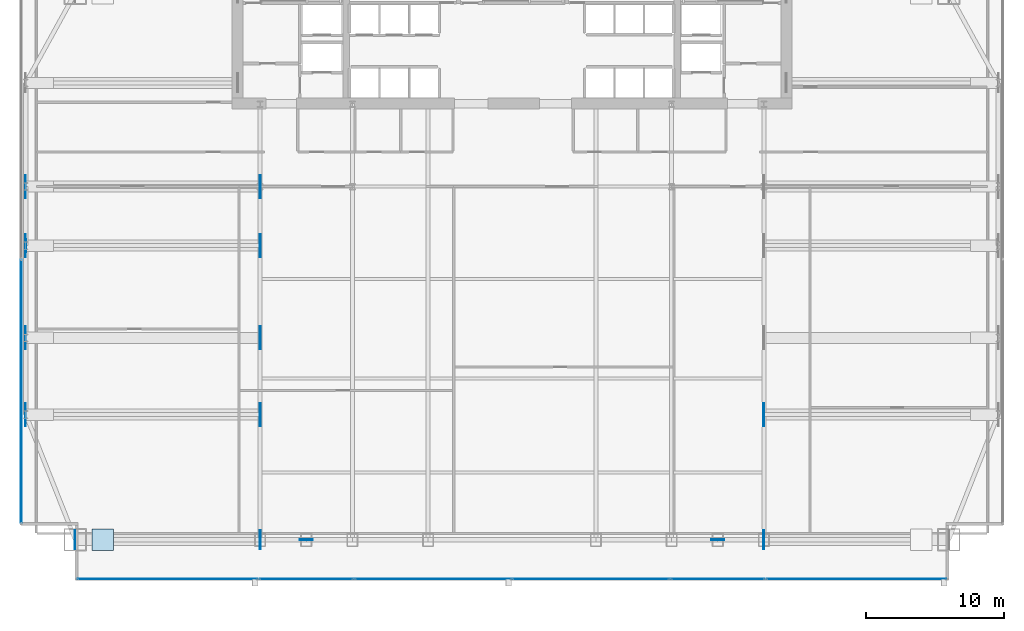
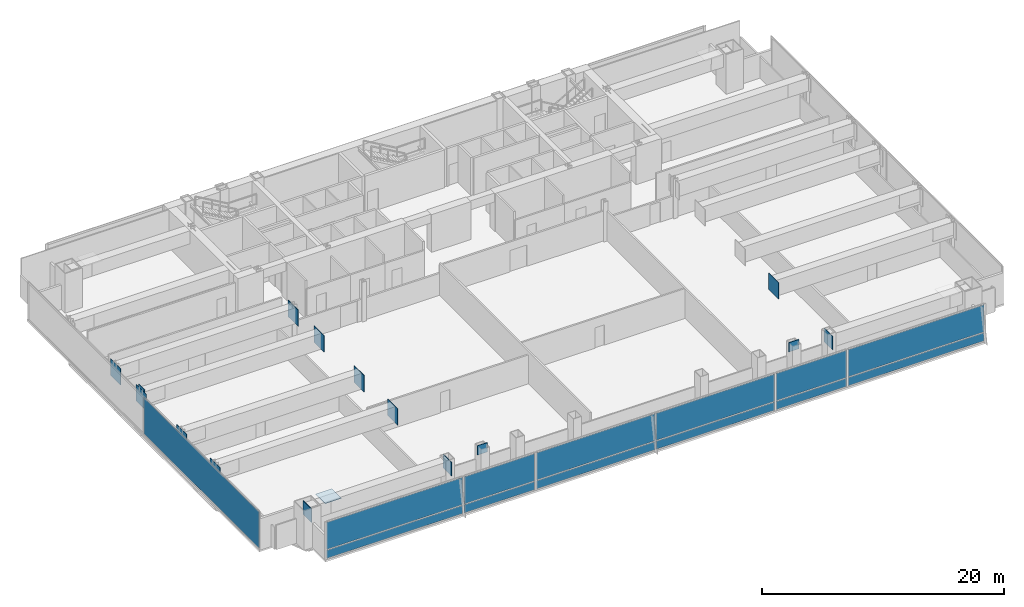
# One storey, part 23 of 32: 29 plates, 6 elements without a shape of their own.
"""IFC4 building model written with IfcOpenShell, lengths in metres."""

from ifc_helpers import new_model, si_unit, direction, frame, origin, origin_2d, place, context, subcontext, project, spatial, polyline, rectangle, outline, extrude, material, layer, layer_set, type_object, element, aggregate, save


model = new_model("IFC4")

# Units and contexts
model_context = context("Model", 3, precision=1e-05, world=origin(), true_north=direction((0.0, 1.0)))
body_context = subcontext(model_context, "Body", "Model", "MODEL_VIEW")
ifc_project = project(units=[si_unit("LENGTHUNIT", "METRE"), si_unit("AREAUNIT", "SQUARE_METRE"), si_unit("VOLUMEUNIT", "CUBIC_METRE"), si_unit("PLANEANGLEUNIT", "RADIAN"), si_unit("MASSUNIT", "GRAM", prefix="KILO")], contexts=[model_context])

# Site, building, storey
site_placement = place(None, origin())
site = spatial("IfcSite", under=ifc_project, at=site_placement, CompositionType="ELEMENT")
building_placement = place(site_placement, origin())
building = spatial("IfcBuilding", under=site, at=building_placement, Name="Khoronbel Lancet Exchange", CompositionType="ELEMENT")
storey_placement = place(building_placement, frame((0.0, 0.0, 77.800048828125)))
storey = spatial("IfcBuildingStorey", under=building, at=storey_placement, Name="L18", CompositionType="ELEMENT", Elevation=77.800048828125)

# Curtain wall, plate
ifc_material_1 = material(Name="Low-E Solar Control Insulating Glass", Category="glass")
curtain_wall_type_1 = type_object("IfcCurtainWallType", Name="CW-4", PredefinedType="NOTDEFINED", material=ifc_material_1)
curtain_wall_1_placement = place(storey_placement, origin())
curtain_wall_1 = element("IfcCurtainWall", 1, at=curtain_wall_1_placement, inside=storey, type_object=curtain_wall_type_1, Name="Unitised curtain wall CW-L18-E03", PredefinedType="NOTDEFINED")
ifc_material_2 = material(Name="Bronze-Anodised Aluminium 6063-T6", Category="aluminium")
ifc_layer_1 = layer(ifc_material_2, 0.050048828125, Name="Bronze-Anodised Aluminium 6063-T6")
ifc_layer_set_1 = layer_set([ifc_layer_1], Name="Bronze-Anodised Aluminium 6063-T6")
plate_type_1 = type_object("IfcPlateType", Name="PLT-CSP1", PredefinedType="SHEET", material=ifc_layer_set_1)
plate_1_placement = place(storey_placement, frame((0.93994140625, 20.888671875, 0.0849609375), z_axis=(0.0, 0.0, 1.0), x_axis=(0.0, 1.0, 0.0)))
plate_1 = element("IfcPlate", 2, at=plate_1_placement, type_object=plate_type_1, Name="CW4 panel 1.1", PredefinedType="CURTAIN_PANEL", context=body_context, shape_type="SweptSolid", body=[
    extrude(rectangle(XDim=19.047607421875, YDim=0.0380859375, at=origin_2d()), origin(), (0.0, 0.0, 1.0), 3.64990234375),
])
aggregate(curtain_wall_1, [plate_1])

# Curtain wall, plates
curtain_wall_type_2 = type_object("IfcCurtainWallType", Name="CW-1", PredefinedType="NOTDEFINED", material=ifc_material_1)
curtain_wall_2_placement = place(storey_placement, origin())
curtain_wall_2 = element("IfcCurtainWall", 3, at=curtain_wall_2_placement, inside=storey, type_object=curtain_wall_type_2, Name="Unitised curtain wall CW-L18-SWB", PredefinedType="NOTDEFINED")
plate_2_placement = place(storey_placement, frame((21.550048828125, 7.2900390625, 0.0849609375), z_axis=(0.0, 0.0, 1.0), x_axis=(1.0, 0.0, 0.0)))
plate_2 = element("IfcPlate", 4, at=plate_2_placement, type_object=plate_type_1, Name="CW1 panel 1.1", PredefinedType="CURTAIN_PANEL", context=body_context, shape_type="SweptSolid", body=[
    extrude(rectangle(XDim=6.72998046875, YDim=0.0380859375, at=origin_2d()), origin(), (0.0, 0.0, 1.0), 0.822509765625),
])
plate_3_placement = place(storey_placement, frame((21.550048828125, 7.2900390625, 0.99267578125), z_axis=(0.0, 0.0, 1.0), x_axis=(1.0, 0.0, 0.0)))
plate_3 = element("IfcPlate", 5, at=plate_3_placement, type_object=plate_type_1, Name="CW1 panel 1.2", PredefinedType="CURTAIN_PANEL", context=body_context, shape_type="SweptSolid", body=[
    extrude(rectangle(XDim=6.72998046875, YDim=0.0380859375, at=origin_2d()), origin(), (0.0, 0.0, 1.0), 2.742431640625),
])
aggregate(curtain_wall_2, [plate_2, plate_3])

curtain_wall_3_placement = place(storey_placement, origin())
curtain_wall_3 = element("IfcCurtainWall", 6, at=curtain_wall_3_placement, inside=storey, type_object=curtain_wall_type_2, Name="Unitised curtain wall CW-L18-SEB", PredefinedType="NOTDEFINED")
plate_4_placement = place(storey_placement, frame((51.35009765625, 7.2900390625, 0.0849609375), z_axis=(0.0, 0.0, 1.0), x_axis=(1.0, 0.0, 0.0)))
plate_4 = element("IfcPlate", 7, at=plate_4_placement, type_object=plate_type_1, Name="CW1 panel 1.1", PredefinedType="CURTAIN_PANEL", context=body_context, shape_type="SweptSolid", body=[
    extrude(rectangle(XDim=6.72998046875, YDim=0.0380859375, at=origin_2d()), origin(), (0.0, 0.0, 1.0), 0.822509765625),
])
plate_5_placement = place(storey_placement, frame((51.35009765625, 7.2900390625, 0.99267578125), z_axis=(0.0, 0.0, 1.0), x_axis=(1.0, 0.0, 0.0)))
plate_5 = element("IfcPlate", 8, at=plate_5_placement, type_object=plate_type_1, Name="CW1 panel 1.2", PredefinedType="CURTAIN_PANEL", context=body_context, shape_type="SweptSolid", body=[
    extrude(rectangle(XDim=6.72998046875, YDim=0.0380859375, at=origin_2d()), origin(), (0.0, 0.0, 1.0), 2.742431640625),
])
aggregate(curtain_wall_3, [plate_4, plate_5])

curtain_wall_4_placement = place(storey_placement, origin())
curtain_wall_4 = element("IfcCurtainWall", 9, at=curtain_wall_4_placement, inside=storey, type_object=curtain_wall_type_2, Name="Unitised curtain wall CW-L18-SWV", PredefinedType="NOTDEFINED")
ifc_layer_2 = layer(ifc_material_1, 0.035888671875, Name="Low-E Solar Control Insulating Glass")
ifc_layer_set_2 = layer_set([ifc_layer_2], Name="Low-E Solar Control Insulating Glass")
plate_type_2 = type_object("IfcPlateType", Name="PLT-CWP1", PredefinedType="CURTAIN_PANEL", material=ifc_layer_set_2)
plate_6_placement = place(storey_placement, frame((11.52001953125, 7.2900390625, 0.0849609375), z_axis=(0.0, 0.0, 1.0), x_axis=(1.0, 0.0, 0.0)))
plate_6 = element("IfcPlate", 10, at=plate_6_placement, type_object=plate_type_2, Name="CW1 panel 1.1", PredefinedType="CURTAIN_PANEL", context=body_context, shape_type="SweptSolid", body=[
    extrude(rectangle(XDim=12.989990234375, YDim=0.0380859375, at=origin_2d()), origin(), (0.0, 0.0, 1.0), 0.822509765625),
])
plate_7_placement = place(storey_placement, frame((11.52001953125, 7.2900390625, 0.99267578125), z_axis=(0.0, 0.0, 1.0), x_axis=(1.0, 0.0, 0.0)))
plate_7 = element("IfcPlate", 11, at=plate_7_placement, type_object=plate_type_2, Name="CW1 panel 1.2", PredefinedType="CURTAIN_PANEL", context=body_context, shape_type="SweptSolid", body=[
    extrude(rectangle(XDim=12.989990234375, YDim=0.0380859375, at=origin_2d()), origin(), (0.0, 0.0, 1.0), 2.742431640625),
])
aggregate(curtain_wall_4, [plate_6, plate_7])

curtain_wall_5_placement = place(storey_placement, origin())
curtain_wall_5 = element("IfcCurtainWall", 12, at=curtain_wall_5_placement, inside=storey, type_object=curtain_wall_type_2, Name="Unitised curtain wall CW-L18-SCV", PredefinedType="NOTDEFINED")
plate_8_placement = place(storey_placement, frame((30.746337890625, 7.2900390625, 0.0849609375), z_axis=(0.0, 0.0, 1.0), x_axis=(1.0, 0.0, 0.0)))
plate_8 = element("IfcPlate", 13, at=plate_8_placement, type_object=plate_type_2, Name="CW1 panel 1.1", PredefinedType="CURTAIN_PANEL", context=body_context, shape_type="SweptSolid", body=[
    extrude(rectangle(XDim=11.322509765625, YDim=0.0380859375, at=origin_2d()), origin(), (0.0, 0.0, 1.0), 0.822509765625),
])
plate_9_placement = place(storey_placement, frame((30.746337890625, 7.2900390625, 0.99267578125), z_axis=(0.0, 0.0, 1.0), x_axis=(1.0, 0.0, 0.0)))
plate_9 = element("IfcPlate", 14, at=plate_9_placement, type_object=plate_type_2, Name="CW1 panel 1.2", PredefinedType="CURTAIN_PANEL", context=body_context, shape_type="SweptSolid", body=[
    extrude(rectangle(XDim=11.322509765625, YDim=0.0380859375, at=origin_2d()), origin(), (0.0, 0.0, 1.0), 2.742431640625),
])
plate_10_placement = place(storey_placement, frame((42.15380859375, 7.2900390625, 0.0849609375), z_axis=(0.0, 0.0, 1.0), x_axis=(1.0, 0.0, 0.0)))
plate_10 = element("IfcPlate", 15, at=plate_10_placement, type_object=plate_type_2, Name="CW1 panel 2.1", PredefinedType="CURTAIN_PANEL", context=body_context, shape_type="SweptSolid", body=[
    extrude(rectangle(XDim=11.322509765625, YDim=0.0380859375, at=origin_2d()), origin(), (0.0, 0.0, 1.0), 0.822509765625),
])
plate_11_placement = place(storey_placement, frame((42.15380859375, 7.2900390625, 0.99267578125), z_axis=(0.0, 0.0, 1.0), x_axis=(1.0, 0.0, 0.0)))
plate_11 = element("IfcPlate", 16, at=plate_11_placement, type_object=plate_type_2, Name="CW1 panel 2.2", PredefinedType="CURTAIN_PANEL", context=body_context, shape_type="SweptSolid", body=[
    extrude(rectangle(XDim=11.322509765625, YDim=0.0380859375, at=origin_2d()), origin(), (0.0, 0.0, 1.0), 2.742431640625),
])
aggregate(curtain_wall_5, [plate_8, plate_9, plate_10, plate_11])

curtain_wall_6_placement = place(storey_placement, origin())
curtain_wall_6 = element("IfcCurtainWall", 17, at=curtain_wall_6_placement, inside=storey, type_object=curtain_wall_type_2, Name="Unitised curtain wall CW-L18-SEV", PredefinedType="NOTDEFINED")
plate_12_placement = place(storey_placement, frame((61.3798828125, 7.2900390625, 0.0849609375), z_axis=(0.0, 0.0, 1.0), x_axis=(1.0, 0.0, 0.0)))
plate_12 = element("IfcPlate", 18, at=plate_12_placement, type_object=plate_type_2, Name="CW1 panel 1.1", PredefinedType="CURTAIN_PANEL", context=body_context, shape_type="SweptSolid", body=[
    extrude(rectangle(XDim=12.989990234375, YDim=0.0380859375, at=origin_2d()), origin(), (0.0, 0.0, 1.0), 0.822509765625),
])
plate_13_placement = place(storey_placement, frame((61.3798828125, 7.2900390625, 0.99267578125), z_axis=(0.0, 0.0, 1.0), x_axis=(1.0, 0.0, 0.0)))
plate_13 = element("IfcPlate", 19, at=plate_13_placement, type_object=plate_type_2, Name="CW1 panel 1.2", PredefinedType="CURTAIN_PANEL", context=body_context, shape_type="SweptSolid", body=[
    extrude(rectangle(XDim=12.989990234375, YDim=0.0380859375, at=origin_2d()), origin(), (0.0, 0.0, 1.0), 2.742431640625),
])
aggregate(curtain_wall_6, [plate_12, plate_13])

# Plates
ifc_material_3 = material(Name="Steel S460", Category="steel")
ifc_layer_3 = layer(ifc_material_3, 0.044921875, Name="Steel S460")
ifc_layer_set_3 = layer_set([ifc_layer_3], Name="Steel S460")
plate_type_3 = type_object("IfcPlateType", Name="PLT-ECP1", PredefinedType="USERDEFINED", material=ifc_layer_set_3)
for number, where, z_axis, x_axis, name in (
    (20, (4.840087890625, 10.14990234375, 2.469970703125), (0.0, 0.0, 1.0), (-1.0, 0.0, 0.0), "Hollow end cap plate PLT-CAP-BM-L18-ZTG-MC-SW-0"),
    (21, (18.235107421875, 10.14990234375, 2.469970703125), (0.0, 0.0, 1.0), (1.0, 0.0, 0.0), "Hollow end cap plate PLT-CAP-BM-L18-ZTG-MC-SW-1"),
    (22, (54.6650390625, 10.14990234375, 2.469970703125), (0.0, 0.0, 1.0), (-1.0, 0.0, 0.0), "Hollow end cap plate PLT-CAP-BM-L18-ZTG-MC-SE-0"),
):
    element("IfcPlate", number, at=place(storey_placement, frame(where, z_axis=z_axis, x_axis=x_axis)), inside=storey, type_object=plate_type_3, Name=name, ObjectType="STIFFENER_PLATE", PredefinedType="USERDEFINED", context=body_context, shape_type="SweptSolid", body=[
        extrude(rectangle(XDim=0.044921875, YDim=1.3798828125, at=origin_2d()), origin(), (0.0, 0.0, 1.0), 1.3798828125),
    ])
for number, where, z_axis, x_axis, name in (
    (23, (1.260009765625, 19.199951171875, 2.18994140625), (0.0, 0.0, 1.0), (-1.0, 0.0, 0.0), "Hollow end cap plate PLT-CAP-BM-L18-ZTG-LW1-0"),
    (24, (18.235107421875, 19.199951171875, 2.18994140625), (0.0, 0.0, 1.0), (1.0, 0.0, 0.0), "Hollow end cap plate PLT-CAP-BM-L18-ZTG-LW1-1"),
    (25, (54.6650390625, 19.199951171875, 2.18994140625), (0.0, 0.0, 1.0), (-1.0, 0.0, 0.0), "Hollow end cap plate PLT-CAP-BM-L18-ZTG-LE1-0"),
    (26, (1.260009765625, 24.75, 2.18994140625), (0.0, 0.0, 1.0), (-1.0, 0.0, 0.0), "Hollow end cap plate PLT-CAP-BM-L18-ZTG-LW2-0"),
    (27, (18.235107421875, 24.75, 2.18994140625), (0.0, 0.0, 1.0), (1.0, 0.0, 0.0), "Hollow end cap plate PLT-CAP-BM-L18-ZTG-LW2-1"),
    (28, (1.260009765625, 31.425048828125, 2.18994140625), (0.0, 0.0, 1.0), (-1.0, 0.0, 0.0), "Hollow end cap plate PLT-CAP-BM-L18-ZTG-LW3-0"),
    (29, (18.235107421875, 31.425048828125, 2.18994140625), (0.0, 0.0, 1.0), (1.0, 0.0, 0.0), "Hollow end cap plate PLT-CAP-BM-L18-ZTG-LW3-1"),
    (30, (1.260009765625, 35.699951171875, 2.18994140625), (0.0, 0.0, 1.0), (-1.0, 0.0, 0.0), "Hollow end cap plate PLT-CAP-BM-L18-ZTG-LW4-0"),
    (31, (18.235107421875, 35.699951171875, 2.18994140625), (0.0, 0.0, 1.0), (1.0, 0.0, 0.0), "Hollow end cap plate PLT-CAP-BM-L18-ZTG-LW4-1"),
):
    element("IfcPlate", number, at=place(storey_placement, frame(where, z_axis=z_axis, x_axis=x_axis)), inside=storey, type_object=plate_type_3, Name=name, ObjectType="STIFFENER_PLATE", PredefinedType="USERDEFINED", context=body_context, shape_type="SweptSolid", body=[
        extrude(rectangle(XDim=0.044921875, YDim=1.659912109375, at=origin_2d()), origin(), (0.0, 0.0, 1.0), 1.659912109375),
    ])
plate_14_placement = place(storey_placement, frame((0.0, 0.0, 3.967041015625)))
element("IfcPlate", 32, at=plate_14_placement, inside=storey, type_object=plate_type_3, Name="Hollow end cap plate PLT-CAP-COL-L19-MC-SW-BOT", ObjectType="STIFFENER_PLATE", PredefinedType="USERDEFINED", context=body_context, shape_type="SweptSolid", body=[
    extrude(outline(polyline([(6.070068359375, 9.3701171875), (7.6298828125, 9.3701171875), (7.6298828125, 10.929931640625), (6.070068359375, 10.929931640625), (6.070068359375, 9.3701171875)])), origin(), (0.0, 0.0, 1.0), 0.044921875),
])
ifc_layer_4 = layer(ifc_material_3, 0.06005859375, Name="Steel S460")
ifc_layer_set_4 = layer_set([ifc_layer_4], Name="Steel S460")
plate_type_4 = type_object("IfcPlateType", Name="PLT-ND1", PredefinedType="USERDEFINED", material=ifc_layer_set_4)
for number, where, z_axis, x_axis, name in (
    (33, (21.5625, 10.14990234375, 3.1748046875), (0.0, 0.0, 1.0), (1.0, 0.0, 0.0), "ND1 perimeter brace node gusset T05-S-W"),
    (34, (51.33740234375, 10.14990234375, 3.1748046875), (0.0, 0.0, 1.0), (1.0, 0.0, 0.0), "ND1 perimeter brace node gusset T05-S-E"),
    (35, (1.27001953125, 31.425048828125, 3.1748046875), (0.0, 0.0, 1.0), (0.0, 1.0, 0.0), "ND1 perimeter brace node gusset T05-W-P"),
):
    element("IfcPlate", number, at=place(storey_placement, frame(where, z_axis=z_axis, x_axis=x_axis)), inside=storey, type_object=plate_type_4, Name=name, ObjectType="GUSSET_PLATE", PredefinedType="USERDEFINED", context=body_context, shape_type="SweptSolid", body=[
        extrude(rectangle(XDim=0.949951171875, YDim=0.06005859375, at=origin_2d()), origin(), (0.0, 0.0, 1.0), 0.949951171875),
    ])

save(model, "model.ifc")
